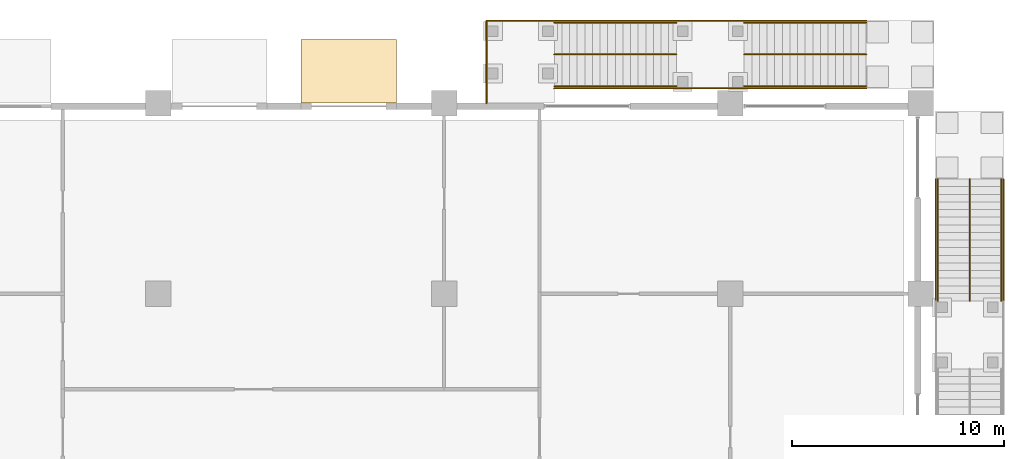
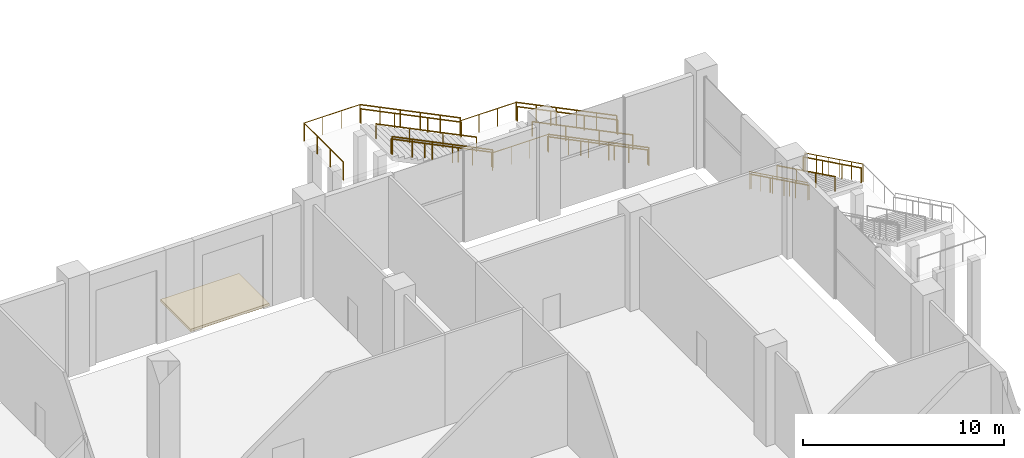
# One storey, part 67 of 68: 19 railings, 1 covering.
"""IFC4 building model written with IfcOpenShell, lengths in metres."""

from ifc_helpers import new_model, si_unit, direction, frame, origin, origin_2d, place, context, subcontext, project, spatial, polyline, circle, outline, extrude, source, transform, mapped, material, layer, layer_set, type_object, element, save


model = new_model("IFC4")

# Units and contexts
model_context = context("Model", 3, precision=1e-05, world=origin(), true_north=direction((0.0, 1.0)))
body_context = subcontext(model_context, "Body", "Model", "MODEL_VIEW")
ifc_project = project(units=[si_unit("LENGTHUNIT", "METRE"), si_unit("AREAUNIT", "SQUARE_METRE"), si_unit("VOLUMEUNIT", "CUBIC_METRE"), si_unit("PLANEANGLEUNIT", "RADIAN"), si_unit("MASSUNIT", "GRAM", prefix="KILO")], contexts=[model_context])

# Site, building, storey
site_placement = place(None, origin())
site = spatial("IfcSite", under=ifc_project, at=site_placement, CompositionType="ELEMENT")
building_placement = place(site_placement, origin())
building = spatial("IfcBuilding", under=site, at=building_placement, Name="Altepetl Exchange Towers", CompositionType="ELEMENT")
storey_placement = place(building_placement, origin())
storey = spatial("IfcBuildingStorey", under=building, at=storey_placement, Name="L00 Ground concourse", CompositionType="ELEMENT", Elevation=0.0)

# Covering
ifc_material_1 = material(Name="Cantera limestone paving", Category="masonry")
ifc_layer = layer(ifc_material_1, 0.14990234375)
ifc_layer_set = layer_set([ifc_layer], Name="Cantera limestone paving")
covering_type = type_object("IfcCoveringType", Name="Paving 150 limestone", PredefinedType="FLOORING", material=ifc_layer_set)
covering_placement = place(storey_placement, frame((0.0, 0.0, -0.14990234375)))
element("IfcCovering", 1, at=covering_placement, inside=storey, type_object=covering_type, Name="Paving", PredefinedType="FLOORING", context=body_context, shape_type="SweptSolid", body=[
    extrude(outline(polyline([(123.75, 99.0), (128.25, 99.0), (128.25, 102.0), (123.75, 102.0), (123.75, 99.0)])), origin(), (0.0, 0.0, 1.0), 0.14990234375),
])

# Railings
ifc_material_2 = material(Name="Laminated glass and steel", Category="steel")
railing_type_1 = type_object("IfcRailingType", Name="Hall gallery guard 1100", PredefinedType="GUARDRAIL", material=ifc_material_2)
shared_shape_1 = source(origin(), body_context, "Body", "SweptSolid", [
    extrude(circle(Radius=0.02001953125, at=origin_2d()), origin(), (0.0, 0.0, 1.0), 1.050048828125),
])
for number, where, name in (
    (2, (156.89990234375, 95.419921875, 0.176513671875), "rail:P:L00:G6flightB"),
    (3, (153.699951171875, 95.419921875, 0.176513671875), "rail:P:L00:G6flightB_in"),
):
    element("IfcRailing", number, at=place(storey_placement, frame(where)), inside=storey, type_object=railing_type_1, Name=name, PredefinedType="GUARDRAIL", context=body_context, shape_type="SweptSolid", body=[
        extrude(circle(Radius=0.02490234375, at=origin_2d()), frame((0.0, 0.0, 1.0751953125), z_axis=(0.0, -0.897923672095, 0.440151200262), x_axis=(1.0, 0.0, 0.0)), (0.0, 0.0, 1.0), 6.414794921875),
        mapped(shared_shape_1, transform((0.0, 0.0, 0.0))),
        mapped(shared_shape_1, transform((0.0, -1.152099609375, 0.564697265625))),
        mapped(shared_shape_1, transform((0.0, -2.303955078125, 1.12939453125))),
        mapped(shared_shape_1, transform((0.0, -3.4560546875, 1.694091796875))),
        mapped(shared_shape_1, transform((0.0, -4.60791015625, 2.2587890625))),
        mapped(shared_shape_1, transform((0.0, -5.760009765625, 2.823486328125))),
    ])
for number, where, name in (
    (4, (141.4599609375, 102.89990234375, 3.176513671875), "rail:P:L00:G8flightA"),
    (5, (141.4599609375, 99.699951171875, 3.176513671875), "rail:P:L00:G8flightA_in"),
    (6, (150.419921875, 102.89990234375, 0.176513671875), "rail:P:L00:G8flightB"),
    (7, (150.419921875, 99.699951171875, 0.176513671875), "rail:P:L00:G8flightB_in"),
):
    element("IfcRailing", number, at=place(storey_placement, frame(where)), inside=storey, type_object=railing_type_1, Name=name, PredefinedType="GUARDRAIL", context=body_context, shape_type="SweptSolid", body=[
        extrude(circle(Radius=0.02490234375, at=origin_2d()), frame((0.0, 0.0, 1.0751953125), z_axis=(-0.897923672095, 0.0, 0.440151200262), x_axis=(0.0, -1.0, 0.0)), (0.0, 0.0, 1.0), 6.414794921875),
        mapped(shared_shape_1, transform((0.0, 0.0, 0.0))),
        mapped(shared_shape_1, transform((-1.152099609375, 0.0, 0.564697265625))),
        mapped(shared_shape_1, transform((-2.303955078125, 0.0, 1.12939453125))),
        mapped(shared_shape_1, transform((-3.4560546875, 0.0, 1.694091796875))),
        mapped(shared_shape_1, transform((-4.60791015625, 0.0, 2.2587890625))),
        mapped(shared_shape_1, transform((-5.760009765625, 0.0, 2.823486328125))),
    ])
for number, where, name in (
    (8, (141.4599609375, 102.89990234375, 3.0), "rail:P:L00:G8mid"),
    (9, (141.4599609375, 99.699951171875, 3.0), "rail:P:L00:G8mid_in"),
):
    element("IfcRailing", number, at=place(storey_placement, frame(where)), inside=storey, type_object=railing_type_1, Name=name, PredefinedType="GUARDRAIL", context=body_context, shape_type="SweptSolid", body=[
        extrude(circle(Radius=0.02490234375, at=origin_2d()), frame((0.0, 0.0, 1.0751953125), z_axis=(1.0, 0.0, 0.0), x_axis=(0.0, 1.0, 0.0)), (0.0, 0.0, 1.0), 3.199951171875),
        mapped(shared_shape_1, transform((0.0, 0.0, 0.0))),
        mapped(shared_shape_1, transform((1.066650390625, 0.0, 0.0))),
        mapped(shared_shape_1, transform((2.13330078125, 0.0, 0.0))),
        mapped(shared_shape_1, transform((3.199951171875, 0.0, 0.0))),
    ])
railing_1_placement = place(storey_placement, frame((132.5, 99.0, 6.0)))
element("IfcRailing", 10, at=railing_1_placement, inside=storey, type_object=railing_type_1, Name="rail:P:L00:G8platform_end", PredefinedType="GUARDRAIL", context=body_context, shape_type="SweptSolid", body=[
    extrude(circle(Radius=0.02490234375, at=origin_2d()), frame((0.0, 0.0, 1.0751953125), z_axis=(0.0, 1.0, 0.0), x_axis=(-1.0, 0.0, 0.0)), (0.0, 0.0, 1.0), 3.89990234375),
    mapped(shared_shape_1, transform((0.0, 0.0, 0.0))),
    mapped(shared_shape_1, transform((0.0, 1.300048828125, 0.0))),
    mapped(shared_shape_1, transform((0.0, 2.599853515625, 0.0))),
    mapped(shared_shape_1, transform((0.0, 3.89990234375, 0.0))),
])
railing_2_placement = place(storey_placement, frame((132.5, 102.89990234375, 6.0)))
element("IfcRailing", 11, at=railing_2_placement, inside=storey, type_object=railing_type_1, Name="rail:P:L00:G8platform_out", PredefinedType="GUARDRAIL", context=body_context, shape_type="SweptSolid", body=[
    extrude(circle(Radius=0.02490234375, at=origin_2d()), frame((0.0, 0.0, 1.0751953125), z_axis=(1.0, 0.0, 0.0), x_axis=(0.0, 1.0, 0.0)), (0.0, 0.0, 1.0), 3.199951171875),
    mapped(shared_shape_1, transform((0.0, 0.0, 0.0))),
    mapped(shared_shape_1, transform((1.066650390625, 0.0, 0.0))),
    mapped(shared_shape_1, transform((2.13330078125, 0.0, 0.0))),
    mapped(shared_shape_1, transform((3.199951171875, 0.0, 0.0))),
])
ifc_material_3 = material(Name="Stainless steel", Category="steel")
railing_type_2 = type_object("IfcRailingType", Name="Stair handrail 900", PredefinedType="HANDRAIL", material=ifc_material_3)
shared_shape_2 = source(origin(), body_context, "Body", "SweptSolid", [
    extrude(circle(Radius=0.02001953125, at=origin_2d()), origin(), (0.0, 0.0, 1.0), 0.849853515625),
])
for number, where, name in (
    (12, (153.800048828125, 95.419921875, 0.176513671875), "rail:P:L00:G6hB_in"),
    (13, (155.300048828125, 95.419921875, 0.176513671875), "rail:P:L00:G6hB_mid"),
    (14, (156.800048828125, 95.419921875, 0.176513671875), "rail:P:L00:G6hB_out"),
):
    element("IfcRailing", number, at=place(storey_placement, frame(where)), inside=storey, type_object=railing_type_2, Name=name, PredefinedType="HANDRAIL", context=body_context, shape_type="SweptSolid", body=[
        extrude(circle(Radius=0.02490234375, at=origin_2d()), frame((0.0, 0.0, 0.875), z_axis=(0.0, -0.897923672095, 0.440151200262), x_axis=(1.0, 0.0, 0.0)), (0.0, 0.0, 1.0), 6.414794921875),
        mapped(shared_shape_2, transform((0.0, 0.0, 0.0))),
        mapped(shared_shape_2, transform((0.0, -1.919921875, 0.941162109375))),
        mapped(shared_shape_2, transform((0.0, -3.840087890625, 1.88232421875))),
        mapped(shared_shape_2, transform((0.0, -5.760009765625, 2.823486328125))),
    ])
for number, where, name in (
    (15, (141.4599609375, 99.800048828125, 3.176513671875), "rail:P:L00:G8hA_in"),
    (16, (141.4599609375, 101.300048828125, 3.176513671875), "rail:P:L00:G8hA_mid"),
    (17, (141.4599609375, 102.800048828125, 3.176513671875), "rail:P:L00:G8hA_out"),
    (18, (150.419921875, 99.800048828125, 0.176513671875), "rail:P:L00:G8hB_in"),
    (19, (150.419921875, 101.300048828125, 0.176513671875), "rail:P:L00:G8hB_mid"),
    (20, (150.419921875, 102.800048828125, 0.176513671875), "rail:P:L00:G8hB_out"),
):
    element("IfcRailing", number, at=place(storey_placement, frame(where)), inside=storey, type_object=railing_type_2, Name=name, PredefinedType="HANDRAIL", context=body_context, shape_type="SweptSolid", body=[
        extrude(circle(Radius=0.02490234375, at=origin_2d()), frame((0.0, 0.0, 0.875), z_axis=(-0.897923672095, 0.0, 0.440151200262), x_axis=(0.0, -1.0, 0.0)), (0.0, 0.0, 1.0), 6.414794921875),
        mapped(shared_shape_2, transform((0.0, 0.0, 0.0))),
        mapped(shared_shape_2, transform((-1.919921875, 0.0, 0.941162109375))),
        mapped(shared_shape_2, transform((-3.840087890625, 0.0, 1.88232421875))),
        mapped(shared_shape_2, transform((-5.760009765625, 0.0, 2.823486328125))),
    ])

save(model, "model.ifc")
